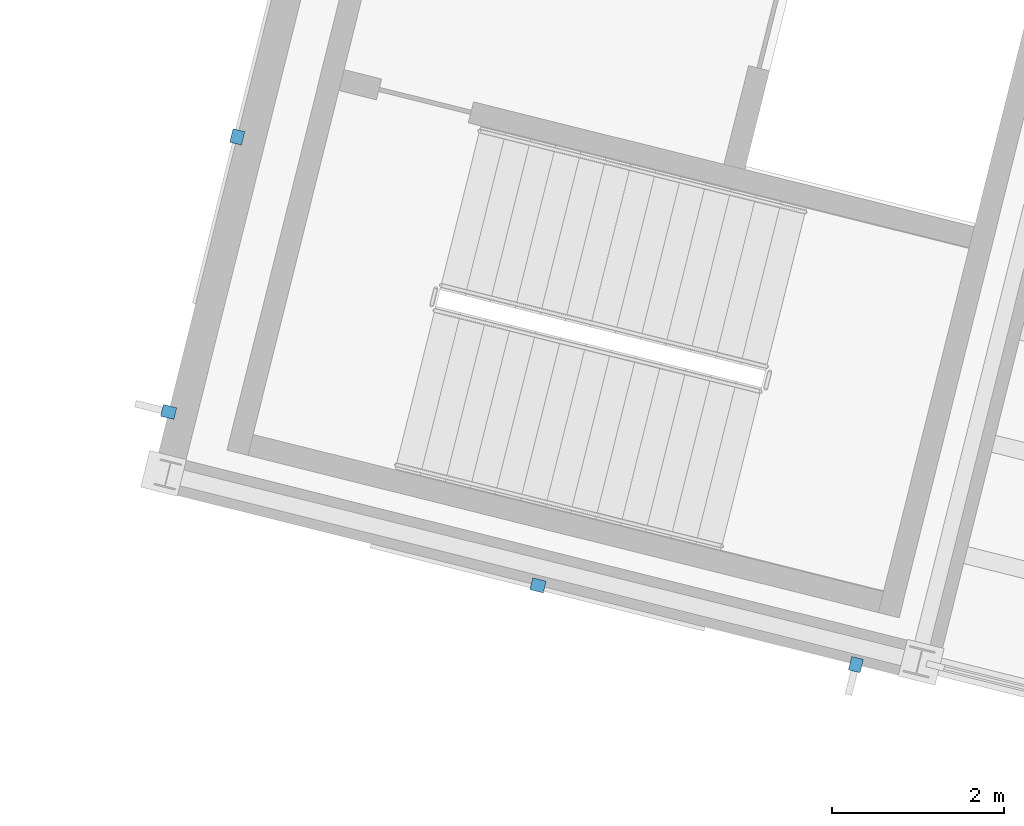
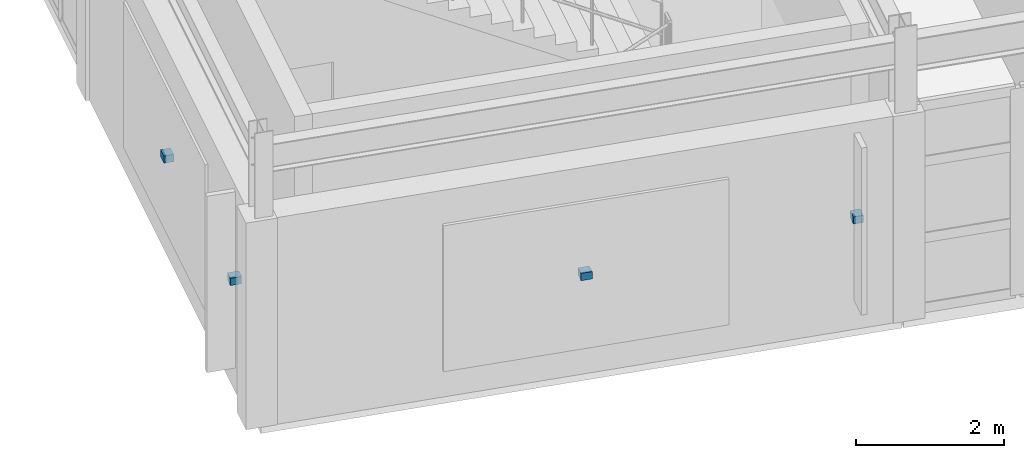
# One storey, part 51 of 59: 4 discrete accessories.
"""IFC4 building model written with IfcOpenShell, lengths in metres."""

from ifc_helpers import new_model, si_unit, direction, frame, origin, origin_2d, place, context, subcontext, project, spatial, rectangle, extrude, material, type_object, element, save


model = new_model("IFC4")

# Units and contexts
model_context = context("Model", 3, precision=1e-05, world=origin(), true_north=direction((0.0, 1.0)))
body_context = subcontext(model_context, "Body", "Model", "MODEL_VIEW")
ifc_project = project(units=[si_unit("LENGTHUNIT", "METRE"), si_unit("AREAUNIT", "SQUARE_METRE"), si_unit("VOLUMEUNIT", "CUBIC_METRE"), si_unit("PLANEANGLEUNIT", "RADIAN"), si_unit("MASSUNIT", "GRAM", prefix="KILO")], contexts=[model_context])

# Site, building, storey
site_placement = place(None, origin())
site = spatial("IfcSite", under=ifc_project, at=site_placement, CompositionType="ELEMENT")
building_placement = place(site_placement, origin())
building = spatial("IfcBuilding", under=site, at=building_placement, Name="Vireo Bluff Cable Station", CompositionType="ELEMENT")
storey_placement = place(building_placement, frame((0.0, 0.0, 14.39990234375)))
storey = spatial("IfcBuildingStorey", under=building, at=storey_placement, Name="L03", CompositionType="ELEMENT", Elevation=14.39990234375)

# Discrete accessories
ifc_material = material(Name="Stainless Steel 316", Category="steel")
discrete_accessory_type = type_object("IfcDiscreteAccessoryType", Name="FACADE-BRACKET-01", PredefinedType="BRACKET", material=ifc_material)
for number, where, z_axis, x_axis, name in (
    (1, (61.997314453125, 35.78955078125, 1.7900390625), (0.0, 0.0, 1.0), (-0.970295737862, 0.24192184913, 0.0), "V1 L03 solar fin bracket 7"),
    (2, (54.010986328125, 38.725830078125, 1.7900390625), (0.0, 0.0, 1.0), (0.241921816345, 0.970295746037, 0.0), "V1 L03 solar fin bracket 8"),
):
    element("IfcDiscreteAccessory", number, at=place(storey_placement, frame(where, z_axis=z_axis, x_axis=x_axis)), inside=storey, type_object=discrete_accessory_type, Name=name, PredefinedType="BRACKET", context=body_context, shape_type="SweptSolid", body=[
        extrude(rectangle(XDim=0.139892578125, YDim=0.159912109375, at=origin_2d()), origin(), (0.0, 0.0, 1.0), 0.1201171875),
    ])
for number, where, z_axis, x_axis, name in (
    (3, (58.302734375, 36.710693359375, 1.590087890625), (0.0, 0.0, 1.0), (-0.970295737862, 0.24192184913, 0.0), "V1 L03 zinc cladding bracket 7"),
    (4, (54.807861328125, 41.922119140625, 1.590087890625), (0.0, 0.0, 1.0), (0.241921816345, 0.970295746037, 0.0), "V1 L03 zinc cladding bracket 8"),
):
    element("IfcDiscreteAccessory", number, at=place(storey_placement, frame(where, z_axis=z_axis, x_axis=x_axis)), inside=storey, type_object=discrete_accessory_type, Name=name, PredefinedType="BRACKET", context=body_context, shape_type="SweptSolid", body=[
        extrude(rectangle(XDim=0.159912109375, YDim=0.139892578125, at=origin_2d()), origin(), (0.0, 0.0, 1.0), 0.1201171875),
    ])

save(model, "model.ifc")
